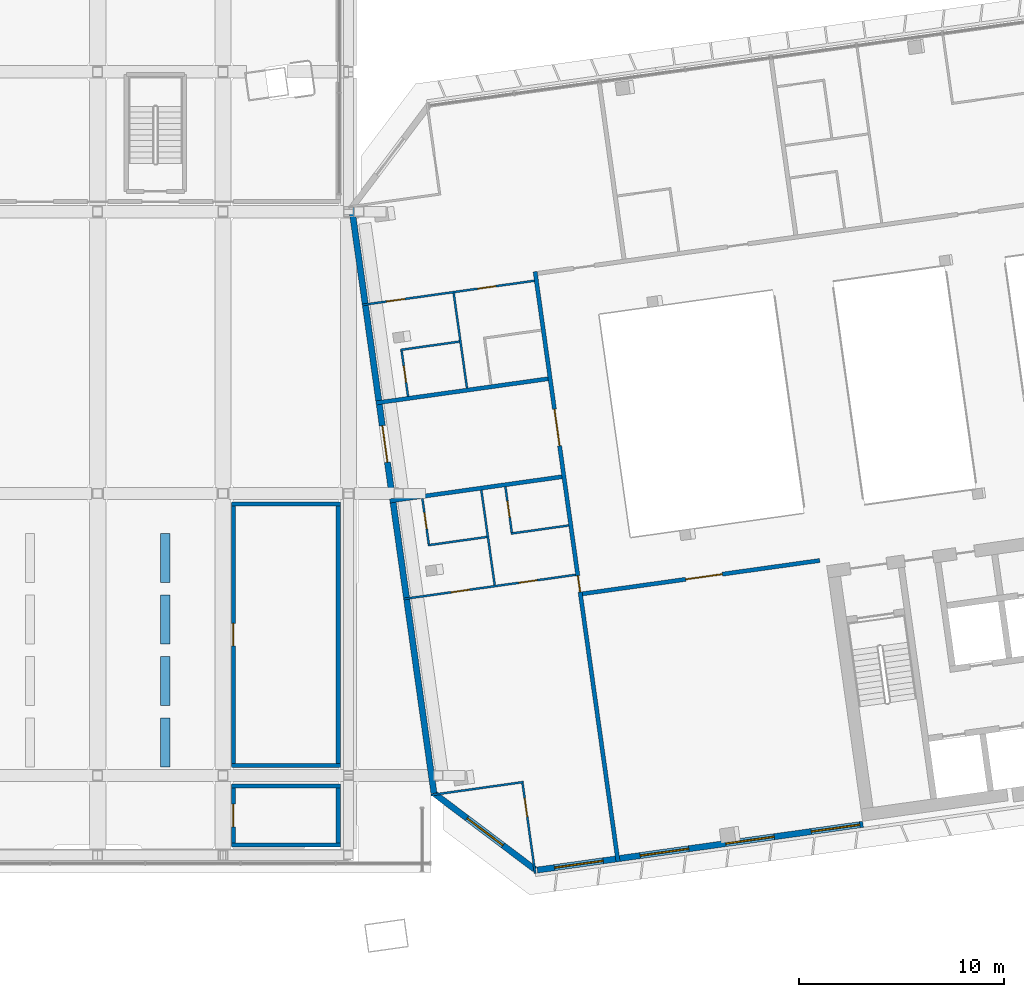
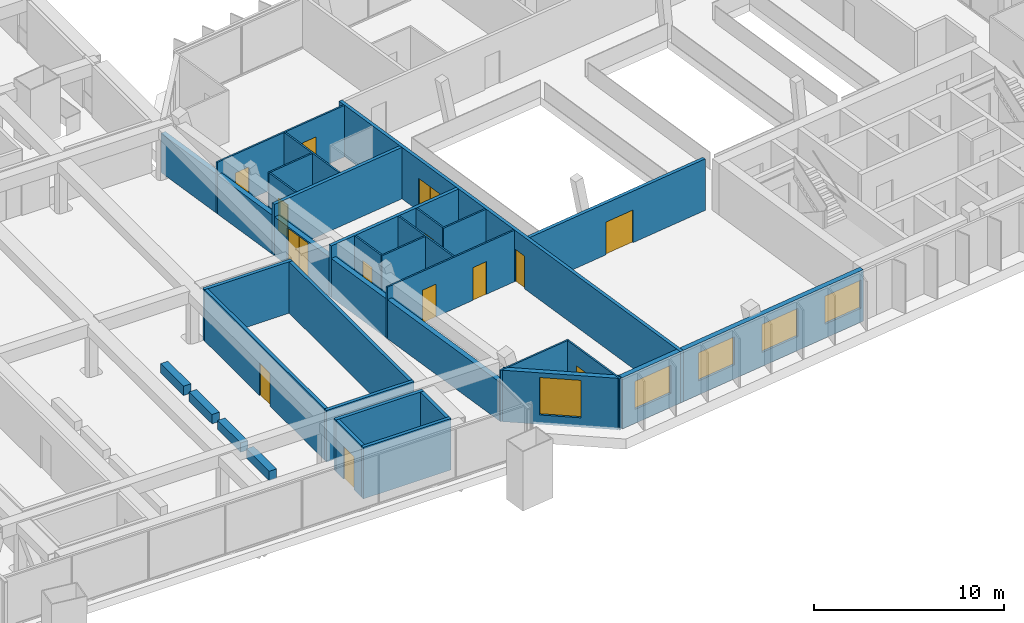
# One storey, part 18 of 25: 31 walls, 14 doors, 5 windows, 19 openings.
"""IFC4 building model written with IfcOpenShell, lengths in metres."""

from ifc_helpers import new_model, si_unit, direction, frame, frame_2d, origin, place, context, subcontext, project, spatial, rectangle, extrude, material, layer, layer_set, type_object, element, fill, save


model = new_model("IFC4")

# Units and contexts
model_context = context("Model", 3, precision=1e-05, world=origin(), true_north=direction((0.0, 1.0)))
body_context = subcontext(model_context, "Body", "Model", "MODEL_VIEW")
ifc_project = project(units=[si_unit("LENGTHUNIT", "METRE"), si_unit("AREAUNIT", "SQUARE_METRE"), si_unit("VOLUMEUNIT", "CUBIC_METRE"), si_unit("PLANEANGLEUNIT", "RADIAN"), si_unit("MASSUNIT", "GRAM", prefix="KILO")], contexts=[model_context])

# Site, building, storey
site_placement = place(None, origin())
site = spatial("IfcSite", under=ifc_project, at=site_placement, CompositionType="ELEMENT")
building_placement = place(site_placement, origin())
building = spatial("IfcBuilding", under=site, at=building_placement, Name="Mirante Cascada Hotel Towers", CompositionType="ELEMENT")
storey_placement = place(building_placement, frame((0.0, 0.0, 266.0)))
storey = spatial("IfcBuildingStorey", under=building, at=storey_placement, Name="L64", CompositionType="ELEMENT", Elevation=266.0)

# Wall, opening, door
ifc_material_1 = material(Name="Fire-rated plasterboard on metal studs")
ifc_layer_1 = layer(ifc_material_1, 0.2)
ifc_layer_set_1 = layer_set([ifc_layer_1], Name="Compartment wall 200 EI 120")
wall_type_1 = type_object("IfcWallType", Name="Compartment wall 200 EI 120", PredefinedType="PARTITIONING", material=ifc_layer_set_1)
wall_1_placement = place(storey_placement, frame((23.6773, -8.7456, 0.0), z_axis=(0.0, 0.0, 1.0), x_axis=(0.9902683, 0.1391714, 0.0)))
wall_1 = element("IfcWall", 1, at=wall_1_placement, inside=storey, type_object=wall_type_1, Name="Wall 2-L64-03", PredefinedType="PARTITIONING", context=body_context, shape_type="SweptSolid", body=[
    extrude(rectangle(XDim=11.7, YDim=0.2, at=frame_2d((5.85, 0.0))), origin(), (0.0, 0.0, 1.0), 3.3),
])
opening_1_placement = place(wall_1_placement, frame((5.1, 0.0, 0.0)))
opening_1 = element("IfcOpeningElement", 2, at=opening_1_placement, cuts=wall_1, Name="Opening D2-L64-01", PredefinedType="OPENING", context=body_context, shape_type="SweptSolid", body=[
    extrude(rectangle(XDim=1.8, YDim=2.1, at=frame_2d((0.9, 1.05))), frame((0.0, 0.1, 0.0), z_axis=(0.0, -1.0, 0.0), x_axis=(1.0, 0.0, 0.0)), (0.0, 0.0, 1.0), 0.2),
])
ifc_material_2 = material(Name="Fire-rated timber door leaf", Category="wood")
door_type_1 = type_object("IfcDoorType", Name="Suite double door DG2 1800x2100 EI 60", OperationType="DOUBLE_DOOR_SINGLE_SWING", PredefinedType="DOOR", material=ifc_material_2)
door_1_placement = place(opening_1_placement, origin())
door_1 = element("IfcDoor", 3, at=door_1_placement, inside=storey, type_object=door_type_1, Name="Door D2-L64-01", OperationType="DOUBLE_DOOR_SINGLE_SWING", OverallHeight=2.1, OverallWidth=1.8, PredefinedType="DOOR", context=body_context, shape_type="SweptSolid", body=[
    extrude(rectangle(XDim=0.895, YDim=2.1, at=frame_2d((0.4475, 1.05))), frame((0.0, 0.025, 0.0), z_axis=(0.0, -1.0, 0.0), x_axis=(1.0, 0.0, 0.0)), (0.0, 0.0, 1.0), 0.05),
    extrude(rectangle(XDim=0.895, YDim=2.1, at=frame_2d((1.3525, 1.05))), frame((0.0, 0.025, 0.0), z_axis=(0.0, -1.0, 0.0), x_axis=(1.0, 0.0, 0.0)), (0.0, 0.0, 1.0), 0.05),
])
fill(opening_1, door_1)

# Walls
wall_2_placement = place(storey_placement, frame((14.2694, -4.2108, 0.0), z_axis=(0.0, 0.0, 1.0), x_axis=(0.9902682, 0.1391721, 0.0)))
element("IfcWall", 4, at=wall_2_placement, inside=storey, type_object=wall_type_1, Name="Wall 2-L64-09", PredefinedType="PARTITIONING", context=body_context, shape_type="SweptSolid", body=[
    extrude(rectangle(XDim=8.4852, YDim=0.2, at=frame_2d((4.2426, 0.0))), origin(), (0.0, 0.0, 1.0), 3.3),
])
wall_3_placement = place(storey_placement, frame((21.9994, 1.7564, 0.0), z_axis=(0.0, 0.0, 1.0), x_axis=(-0.9902684, -0.1391705, 0.0)))
element("IfcWall", 5, at=wall_3_placement, inside=storey, type_object=wall_type_1, Name="Wall 2-L64-10", PredefinedType="PARTITIONING", context=body_context, shape_type="SweptSolid", body=[
    extrude(rectangle(XDim=8.4853, YDim=0.2, at=frame_2d((4.2426, 0.0))), origin(), (0.0, 0.0, 1.0), 3.3),
])

# Wall, openings, doors
wall_4_placement = place(storey_placement, frame((25.4153, -21.8311, 0.0), z_axis=(0.0, 0.0, 1.0), x_axis=(-0.1391718, 0.9902682, 0.0)))
wall_4 = element("IfcWall", 6, at=wall_4_placement, inside=storey, type_object=wall_type_1, Name="Wall 2-L64-33", PredefinedType="PARTITIONING", context=body_context, shape_type="SweptSolid", body=[
    extrude(rectangle(XDim=29.1, YDim=0.2, at=frame_2d((14.55, 0.0))), origin(), (0.0, 0.0, 1.0), 3.3),
])
opening_2_placement = place(wall_4_placement, frame((13.305, 0.0, 0.0)))
opening_2 = element("IfcOpeningElement", 7, at=opening_2_placement, cuts=wall_4, Name="Opening D2-L64-22", PredefinedType="OPENING", context=body_context, shape_type="SweptSolid", body=[
    extrude(rectangle(XDim=0.8, YDim=2.1, at=frame_2d((0.4, 1.05))), frame((0.0, 0.1, 0.0), z_axis=(0.0, -1.0, 0.0), x_axis=(1.0, 0.0, 0.0)), (0.0, 0.0, 1.0), 0.2),
])
opening_3_placement = place(wall_4_placement, frame((20.5166, 0.0, 0.0)))
opening_3 = element("IfcOpeningElement", 8, at=opening_3_placement, cuts=wall_4, Name="Opening D2-L64-23", PredefinedType="OPENING", context=body_context, shape_type="SweptSolid", body=[
    extrude(rectangle(XDim=1.8, YDim=2.1, at=frame_2d((0.9, 1.05))), frame((0.0, 0.1, 0.0), z_axis=(0.0, -1.0, 0.0), x_axis=(1.0, 0.0, 0.0)), (0.0, 0.0, 1.0), 0.2),
])
ifc_material_3 = material(Name="Fire-rated timber door leaf", Category="wood")
door_type_2 = type_object("IfcDoorType", Name="Bathroom door DG4 800x2100 EI 60", OperationType="SINGLE_SWING_LEFT", PredefinedType="DOOR", material=ifc_material_3)
door_2_placement = place(opening_2_placement, origin())
door_2 = element("IfcDoor", 9, at=door_2_placement, inside=storey, type_object=door_type_2, Name="Door D2-L64-22", OperationType="SINGLE_SWING_LEFT", OverallHeight=2.1, OverallWidth=0.8, PredefinedType="DOOR", context=body_context, shape_type="SweptSolid", body=[
    extrude(rectangle(XDim=0.8, YDim=2.1, at=frame_2d((0.4, 1.05))), frame((0.0, 0.025, 0.0), z_axis=(0.0, -1.0, 0.0), x_axis=(1.0, 0.0, 0.0)), (0.0, 0.0, 1.0), 0.05),
])
fill(opening_2, door_2)
door_3_placement = place(opening_3_placement, origin())
door_3 = element("IfcDoor", 10, at=door_3_placement, inside=storey, type_object=door_type_1, Name="Door D2-L64-23", OperationType="DOUBLE_DOOR_SINGLE_SWING", OverallHeight=2.1, OverallWidth=1.8, PredefinedType="DOOR", context=body_context, shape_type="SweptSolid", body=[
    extrude(rectangle(XDim=0.895, YDim=2.1, at=frame_2d((0.4475, 1.05))), frame((0.0, 0.025, 0.0), z_axis=(0.0, -1.0, 0.0), x_axis=(1.0, 0.0, 0.0)), (0.0, 0.0, 1.0), 0.05),
    extrude(rectangle(XDim=0.895, YDim=2.1, at=frame_2d((1.3525, 1.05))), frame((0.0, 0.025, 0.0), z_axis=(0.0, -1.0, 0.0), x_axis=(1.0, 0.0, 0.0)), (0.0, 0.0, 1.0), 0.05),
])
fill(opening_3, door_3)

# Walls
ifc_material_4 = material(Name="Masonry block", Category="masonry")
ifc_layer_2 = layer(ifc_material_4, 0.2)
ifc_layer_set_2 = layer_set([ifc_layer_2], Name="Deck room wall 200 block EI 120")
wall_type_2 = type_object("IfcWallType", Name="Deck room wall 200 block EI 120", PredefinedType="PARTITIONING", material=ifc_layer_set_2)
for number, where, z_axis, x_axis, name in (
    (11, (6.53, -21.02, 0.0), (0.0, 0.0, 1.0), (1.0, 0.0, 0.0), "Sky park fire wall L64 W9"),
    (12, (6.53, -18.12, 0.0), (0.0, 0.0, 1.0), (1.0, 0.0, 0.0), "Sky park fire wall L64 W10"),
):
    element("IfcWall", number, at=place(storey_placement, frame(where, z_axis=z_axis, x_axis=x_axis)), inside=storey, type_object=wall_type_2, Name=name, PredefinedType="PARTITIONING", context=body_context, shape_type="SweptSolid", body=[
        extrude(rectangle(XDim=5.32, YDim=0.2, at=frame_2d((2.66, 0.0))), origin(), (0.0, 0.0, 1.0), 3.3),
    ])

# Wall, opening, door
wall_5_placement = place(storey_placement, frame((6.63, -20.92, 0.0), z_axis=(0.0, 0.0, 1.0), x_axis=(0.0, 1.0, 0.0)))
wall_5 = element("IfcWall", 13, at=wall_5_placement, inside=storey, type_object=wall_type_2, Name="Sky park fire wall L64 W11", PredefinedType="PARTITIONING", context=body_context, shape_type="SweptSolid", body=[
    extrude(rectangle(XDim=2.7, YDim=0.2, at=frame_2d((1.35, 0.0))), origin(), (0.0, 0.0, 1.0), 3.3),
])
opening_4_placement = place(wall_5_placement, frame((0.8, 0.0, 0.0)))
opening_4 = element("IfcOpeningElement", 14, at=opening_4_placement, cuts=wall_5, Name="Opening DD-64-03", PredefinedType="OPENING", context=body_context, shape_type="SweptSolid", body=[
    extrude(rectangle(XDim=1.1, YDim=2.1, at=frame_2d((0.55, 1.05))), frame((0.0, 0.1, 0.0), z_axis=(0.0, -1.0, 0.0), x_axis=(1.0, 0.0, 0.0)), (0.0, 0.0, 1.0), 0.2),
])
ifc_material_5 = material(Name="Hollow metal fire door leaf")
door_type_3 = type_object("IfcDoorType", Name="Fire door 1100x2100 FD60 self-closing", OperationType="NOTDEFINED", PredefinedType="DOOR", material=ifc_material_5)
door_4_placement = place(opening_4_placement, frame((1.1, 0.0, 0.0), z_axis=(0.0, 0.0, 1.0), x_axis=(-1.0, 0.0, 0.0)))
door_4 = element("IfcDoor", 15, at=door_4_placement, inside=storey, type_object=door_type_3, Name="Fire door sky park L64 d3", OperationType="SINGLE_SWING_LEFT", OverallHeight=2.1, OverallWidth=1.1, PredefinedType="DOOR", context=body_context, shape_type="SweptSolid", body=[
    extrude(rectangle(XDim=1.1, YDim=2.1, at=frame_2d((0.55, 1.05))), frame((0.0, 0.025, 0.0), z_axis=(0.0, -1.0, 0.0), x_axis=(1.0, 0.0, 0.0)), (0.0, 0.0, 1.0), 0.05),
])
fill(opening_4, door_4)

# Walls
wall_6_placement = place(storey_placement, frame((11.75, -20.92, 0.0), z_axis=(0.0, 0.0, 1.0), x_axis=(0.0, 1.0, 0.0)))
element("IfcWall", 16, at=wall_6_placement, inside=storey, type_object=wall_type_2, Name="Sky park fire wall L64 W12", PredefinedType="PARTITIONING", context=body_context, shape_type="SweptSolid", body=[
    extrude(rectangle(XDim=2.7, YDim=0.2, at=frame_2d((1.35, 0.0))), origin(), (0.0, 0.0, 1.0), 3.3),
])
for number, where, z_axis, x_axis, name in (
    (17, (6.53, -17.12, 0.0), (0.0, 0.0, 1.0), (1.0, 0.0, 0.0), "Sky park fire wall L64 W13"),
    (18, (6.53, -4.35, 0.0), (0.0, 0.0, 1.0), (1.0, 0.0, 0.0), "Sky park fire wall L64 W14"),
):
    element("IfcWall", number, at=place(storey_placement, frame(where, z_axis=z_axis, x_axis=x_axis)), inside=storey, type_object=wall_type_2, Name=name, PredefinedType="PARTITIONING", context=body_context, shape_type="SweptSolid", body=[
        extrude(rectangle(XDim=5.32, YDim=0.2, at=frame_2d((2.66, 0.0))), origin(), (0.0, 0.0, 1.0), 3.3),
    ])

# Wall, opening, door
wall_7_placement = place(storey_placement, frame((6.63, -17.02, 0.0), z_axis=(0.0, 0.0, 1.0), x_axis=(0.0, 1.0, 0.0)))
wall_7 = element("IfcWall", 19, at=wall_7_placement, inside=storey, type_object=wall_type_2, Name="Sky park fire wall L64 W15", PredefinedType="PARTITIONING", context=body_context, shape_type="SweptSolid", body=[
    extrude(rectangle(XDim=12.57, YDim=0.2, at=frame_2d((6.285, 0.0))), origin(), (0.0, 0.0, 1.0), 3.3),
])
opening_5_placement = place(wall_7_placement, frame((5.735, 0.0, 0.0)))
opening_5 = element("IfcOpeningElement", 20, at=opening_5_placement, cuts=wall_7, Name="Opening DD-64-04", PredefinedType="OPENING", context=body_context, shape_type="SweptSolid", body=[
    extrude(rectangle(XDim=1.1, YDim=2.1, at=frame_2d((0.55, 1.05))), frame((0.0, 0.1, 0.0), z_axis=(0.0, -1.0, 0.0), x_axis=(1.0, 0.0, 0.0)), (0.0, 0.0, 1.0), 0.2),
])
door_5_placement = place(opening_5_placement, frame((1.1, 0.0, 0.0), z_axis=(0.0, 0.0, 1.0), x_axis=(-1.0, 0.0, 0.0)))
door_5 = element("IfcDoor", 21, at=door_5_placement, inside=storey, type_object=door_type_3, Name="Fire door sky park L64 d4", OperationType="SINGLE_SWING_LEFT", OverallHeight=2.1, OverallWidth=1.1, PredefinedType="DOOR", context=body_context, shape_type="SweptSolid", body=[
    extrude(rectangle(XDim=1.1, YDim=2.1, at=frame_2d((0.55, 1.05))), frame((0.0, 0.025, 0.0), z_axis=(0.0, -1.0, 0.0), x_axis=(1.0, 0.0, 0.0)), (0.0, 0.0, 1.0), 0.05),
])
fill(opening_5, door_5)

# Walls
wall_8_placement = place(storey_placement, frame((11.75, -17.02, 0.0), z_axis=(0.0, 0.0, 1.0), x_axis=(0.0, 1.0, 0.0)))
element("IfcWall", 22, at=wall_8_placement, inside=storey, type_object=wall_type_2, Name="Sky park fire wall L64 W16", PredefinedType="PARTITIONING", context=body_context, shape_type="SweptSolid", body=[
    extrude(rectangle(XDim=12.57, YDim=0.2, at=frame_2d((6.285, 0.0))), origin(), (0.0, 0.0, 1.0), 3.3),
])
ifc_material_6 = material(Name="Precast concrete C40/50", Category="concrete")
ifc_layer_3 = layer(ifc_material_6, 0.45)
ifc_layer_set_3 = layer_set([ifc_layer_3], Name="Interior planter wall 450 concrete C40/50")
wall_type_3 = type_object("IfcWallType", Name="Interior planter wall 450 concrete C40/50", PredefinedType="PARAPET", material=ifc_layer_set_3)
for number, where, z_axis, x_axis, name in (
    (23, (3.3, -17.2, 0.0), (0.0, 0.0, 1.0), (0.0, 1.0, 0.0), "PLANTER sky garden walk bed L64 5"),
    (24, (3.3, -14.2, 0.0), (0.0, 0.0, 1.0), (0.0, 1.0, 0.0), "PLANTER sky garden walk bed L64 6"),
    (25, (3.3, -11.2, 0.0), (0.0, 0.0, 1.0), (0.0, 1.0, 0.0), "PLANTER sky garden walk bed L64 7"),
    (26, (3.3, -8.2, 0.0), (0.0, 0.0, 1.0), (0.0, 1.0, 0.0), "PLANTER sky garden walk bed L64 8"),
):
    element("IfcWall", number, at=place(storey_placement, frame(where, z_axis=z_axis, x_axis=x_axis)), inside=storey, type_object=wall_type_3, Name=name, PredefinedType="PARAPET", context=body_context, shape_type="SweptSolid", body=[
        extrude(rectangle(XDim=2.4, YDim=0.45, at=frame_2d((1.2, 0.0))), origin(), (0.0, 0.0, 1.0), 0.6),
    ])
ifc_material_7 = material(Name="Plasterboard on metal studs")
ifc_layer_4 = layer(ifc_material_7, 0.1)
ifc_layer_set_4 = layer_set([ifc_layer_4], Name="Partition 100")
wall_type_4 = type_object("IfcWallType", Name="Partition 100", PredefinedType="PARTITIONING", material=ifc_layer_set_4)
wall_9_placement = place(storey_placement, frame((16.2874, -18.5697, 0.0), z_axis=(0.0, 0.0, 1.0), x_axis=(0.9902661, 0.1391871, 0.0)))
element("IfcWall", 27, at=wall_9_placement, inside=storey, type_object=wall_type_4, Name="Wall 2-L64-01", PredefinedType="PARTITIONING", context=body_context, shape_type="SweptSolid", body=[
    extrude(rectangle(XDim=4.55, YDim=0.1, at=frame_2d((2.275, 0.0))), origin(), (0.0, 0.0, 1.0), 3.3),
])

# Wall, openings, doors
wall_10_placement = place(storey_placement, frame((23.3447, -7.8161, 0.0), z_axis=(0.0, 0.0, 1.0), x_axis=(-0.9902666, -0.1391837, 0.0)))
wall_10 = element("IfcWall", 28, at=wall_10_placement, inside=storey, type_object=wall_type_4, Name="Wall 2-L64-04", PredefinedType="PARTITIONING", context=body_context, shape_type="SweptSolid", body=[
    extrude(rectangle(XDim=8.4852, YDim=0.1, at=frame_2d((4.2426, 0.0))), origin(), (0.0, 0.0, 1.0), 3.3),
])
opening_6_placement = place(wall_10_placement, frame((5.2352, 0.0, 0.0)))
opening_6 = element("IfcOpeningElement", 29, at=opening_6_placement, cuts=wall_10, Name="Opening D2-L64-02", PredefinedType="OPENING", context=body_context, shape_type="SweptSolid", body=[
    extrude(rectangle(XDim=0.9, YDim=2.1, at=frame_2d((0.45, 1.05))), frame((0.0, 0.05, 0.0), z_axis=(0.0, -1.0, 0.0), x_axis=(1.0, 0.0, 0.0)), (0.0, 0.0, 1.0), 0.1),
])
opening_7_placement = place(wall_10_placement, frame((1.8963, 0.0, 0.0)))
opening_7 = element("IfcOpeningElement", 30, at=opening_7_placement, cuts=wall_10, Name="Opening D2-L64-03", PredefinedType="OPENING", context=body_context, shape_type="SweptSolid", body=[
    extrude(rectangle(XDim=0.9, YDim=2.1, at=frame_2d((0.45, 1.05))), frame((0.0, 0.05, 0.0), z_axis=(0.0, -1.0, 0.0), x_axis=(1.0, 0.0, 0.0)), (0.0, 0.0, 1.0), 0.1),
])
ifc_material_8 = material(Name="Timber door leaf", Category="wood")
door_type_4 = type_object("IfcDoorType", Name="Room door DG3 900x2100", OperationType="SINGLE_SWING_LEFT", PredefinedType="DOOR", material=ifc_material_8)
door_6_placement = place(opening_6_placement, origin())
door_6 = element("IfcDoor", 31, at=door_6_placement, inside=storey, type_object=door_type_4, Name="Door D2-L64-02", OperationType="SINGLE_SWING_LEFT", OverallHeight=2.1, OverallWidth=0.9, PredefinedType="DOOR", context=body_context, shape_type="SweptSolid", body=[
    extrude(rectangle(XDim=0.9, YDim=2.1, at=frame_2d((0.45, 1.05))), frame((0.0, 0.025, 0.0), z_axis=(0.0, -1.0, 0.0), x_axis=(1.0, 0.0, 0.0)), (0.0, 0.0, 1.0), 0.05),
])
fill(opening_6, door_6)
door_7_placement = place(opening_7_placement, origin())
door_7 = element("IfcDoor", 32, at=door_7_placement, inside=storey, type_object=door_type_4, Name="Door D2-L64-03", OperationType="SINGLE_SWING_LEFT", OverallHeight=2.1, OverallWidth=0.9, PredefinedType="DOOR", context=body_context, shape_type="SweptSolid", body=[
    extrude(rectangle(XDim=0.9, YDim=2.1, at=frame_2d((0.45, 1.05))), frame((0.0, 0.025, 0.0), z_axis=(0.0, -1.0, 0.0), x_axis=(1.0, 0.0, 0.0)), (0.0, 0.0, 1.0), 0.05),
])
fill(opening_7, door_7)

# Walls
wall_11_placement = place(storey_placement, frame((16.131, -6.3727, 0.0), z_axis=(0.0, 0.0, 1.0), x_axis=(0.9902695, 0.1391626, 0.0)))
element("IfcWall", 33, at=wall_11_placement, inside=storey, type_object=wall_type_4, Name="Wall 2-L64-07", PredefinedType="PARTITIONING", context=body_context, shape_type="SweptSolid", body=[
    extrude(rectangle(XDim=2.9074, YDim=0.1, at=frame_2d((1.4537, 0.0))), origin(), (0.0, 0.0, 1.0), 3.3),
])
wall_12_placement = place(storey_placement, frame((23.006, -5.4065, 0.0), z_axis=(0.0, 0.0, 1.0), x_axis=(-0.9902649, -0.1391957, 0.0)))
element("IfcWall", 34, at=wall_12_placement, inside=storey, type_object=wall_type_4, Name="Wall 2-L64-08", PredefinedType="PARTITIONING", context=body_context, shape_type="SweptSolid", body=[
    extrude(rectangle(XDim=2.8499, YDim=0.1, at=frame_2d((1.425, 0.0))), origin(), (0.0, 0.0, 1.0), 3.3),
])
wall_13_placement = place(storey_placement, frame((14.7903, 3.1668, 0.0), z_axis=(0.0, 0.0, 1.0), x_axis=(0.9902695, 0.1391626, 0.0)))
element("IfcWall", 35, at=wall_13_placement, inside=storey, type_object=wall_type_4, Name="Wall 2-L64-11", PredefinedType="PARTITIONING", context=body_context, shape_type="SweptSolid", body=[
    extrude(rectangle(XDim=2.9074, YDim=0.1, at=frame_2d((1.4537, 0.0))), origin(), (0.0, 0.0, 1.0), 3.3),
])

# Wall, openings, doors
wall_14_placement = place(storey_placement, frame((12.924, 5.3618, 0.0), z_axis=(0.0, 0.0, 1.0), x_axis=(0.9902684, 0.1391705, 0.0)))
wall_14 = element("IfcWall", 36, at=wall_14_placement, inside=storey, type_object=wall_type_4, Name="Wall 2-L64-13", PredefinedType="PARTITIONING", context=body_context, shape_type="SweptSolid", body=[
    extrude(rectangle(XDim=8.4853, YDim=0.1, at=frame_2d((4.2426, 0.0))), origin(), (0.0, 0.0, 1.0), 3.3),
])
opening_8_placement = place(wall_14_placement, frame((1.1963, 0.0, 0.0)))
opening_8 = element("IfcOpeningElement", 37, at=opening_8_placement, cuts=wall_14, Name="Opening D2-L64-04", PredefinedType="OPENING", context=body_context, shape_type="SweptSolid", body=[
    extrude(rectangle(XDim=0.9, YDim=2.1, at=frame_2d((0.45, 1.05))), frame((0.0, 0.05, 0.0), z_axis=(0.0, -1.0, 0.0), x_axis=(1.0, 0.0, 0.0)), (0.0, 0.0, 1.0), 0.1),
])
opening_9_placement = place(wall_14_placement, frame((5.6889, 0.0, 0.0)))
opening_9 = element("IfcOpeningElement", 38, at=opening_9_placement, cuts=wall_14, Name="Opening D2-L64-05", PredefinedType="OPENING", context=body_context, shape_type="SweptSolid", body=[
    extrude(rectangle(XDim=0.9, YDim=2.1, at=frame_2d((0.45, 1.05))), frame((0.0, 0.05, 0.0), z_axis=(0.0, -1.0, 0.0), x_axis=(1.0, 0.0, 0.0)), (0.0, 0.0, 1.0), 0.1),
])
door_8_placement = place(opening_8_placement, origin())
door_8 = element("IfcDoor", 39, at=door_8_placement, inside=storey, type_object=door_type_4, Name="Door D2-L64-04", OperationType="SINGLE_SWING_LEFT", OverallHeight=2.1, OverallWidth=0.9, PredefinedType="DOOR", context=body_context, shape_type="SweptSolid", body=[
    extrude(rectangle(XDim=0.9, YDim=2.1, at=frame_2d((0.45, 1.05))), frame((0.0, 0.025, 0.0), z_axis=(0.0, -1.0, 0.0), x_axis=(1.0, 0.0, 0.0)), (0.0, 0.0, 1.0), 0.05),
])
fill(opening_8, door_8)
door_9_placement = place(opening_9_placement, origin())
door_9 = element("IfcDoor", 40, at=door_9_placement, inside=storey, type_object=door_type_4, Name="Door D2-L64-05", OperationType="SINGLE_SWING_LEFT", OverallHeight=2.1, OverallWidth=0.9, PredefinedType="DOOR", context=body_context, shape_type="SweptSolid", body=[
    extrude(rectangle(XDim=0.9, YDim=2.1, at=frame_2d((0.45, 1.05))), frame((0.0, 0.025, 0.0), z_axis=(0.0, -1.0, 0.0), x_axis=(1.0, 0.0, 0.0)), (0.0, 0.0, 1.0), 0.05),
])
fill(opening_9, door_9)

# Wall, opening, door
wall_15_placement = place(storey_placement, frame((16.1736, -6.3163, 0.0), z_axis=(0.0, 0.0, 1.0), x_axis=(-0.1391997, 0.9902643, 0.0)))
wall_15 = element("IfcWall", 41, at=wall_15_placement, inside=storey, type_object=wall_type_4, Name="Wall 2-L64-25", PredefinedType="PARTITIONING", context=body_context, shape_type="SweptSolid", body=[
    extrude(rectangle(XDim=2.25, YDim=0.1, at=frame_2d((1.125, 0.0))), origin(), (0.0, 0.0, 1.0), 3.3),
])
opening_10_placement = place(wall_15_placement, frame((0.75, 0.0, 0.0)))
opening_10 = element("IfcOpeningElement", 42, at=opening_10_placement, cuts=wall_15, Name="Opening D2-L64-16", PredefinedType="OPENING", context=body_context, shape_type="SweptSolid", body=[
    extrude(rectangle(XDim=0.8, YDim=2.1, at=frame_2d((0.4, 1.05))), frame((0.0, 0.05, 0.0), z_axis=(0.0, -1.0, 0.0), x_axis=(1.0, 0.0, 0.0)), (0.0, 0.0, 1.0), 0.1),
])
ifc_material_9 = material(Name="Timber door leaf", Category="wood")
door_type_5 = type_object("IfcDoorType", Name="Bathroom door DG4 800x2100", OperationType="SINGLE_SWING_LEFT", PredefinedType="DOOR", material=ifc_material_9)
door_10_placement = place(opening_10_placement, frame((0.8, 0.0, 0.0), z_axis=(0.0, 0.0, 1.0), x_axis=(-1.0, 0.0, 0.0)))
door_10 = element("IfcDoor", 43, at=door_10_placement, inside=storey, type_object=door_type_5, Name="Door D2-L64-16", OperationType="SINGLE_SWING_RIGHT", OverallHeight=2.1, OverallWidth=0.8, PredefinedType="DOOR", context=body_context, shape_type="SweptSolid", body=[
    extrude(rectangle(XDim=0.8, YDim=2.1, at=frame_2d((0.4, 1.05))), frame((0.0, 0.025, 0.0), z_axis=(0.0, -1.0, 0.0), x_axis=(1.0, 0.0, 0.0)), (0.0, 0.0, 1.0), 0.05),
])
fill(opening_10, door_10)

wall_16_placement = place(storey_placement, frame((14.8468, 3.1242, 0.0), z_axis=(0.0, 0.0, 1.0), x_axis=(0.1391561, -0.9902705, 0.0)))
wall_16 = element("IfcWall", 44, at=wall_16_placement, inside=storey, type_object=wall_type_4, Name="Wall 2-L64-26", PredefinedType="PARTITIONING", context=body_context, shape_type="SweptSolid", body=[
    extrude(rectangle(XDim=2.25, YDim=0.1, at=frame_2d((1.125, 0.0))), origin(), (0.0, 0.0, 1.0), 3.3),
])
opening_11_placement = place(wall_16_placement, frame((0.75, 0.0, 0.0)))
opening_11 = element("IfcOpeningElement", 45, at=opening_11_placement, cuts=wall_16, Name="Opening D2-L64-17", PredefinedType="OPENING", context=body_context, shape_type="SweptSolid", body=[
    extrude(rectangle(XDim=0.8, YDim=2.1, at=frame_2d((0.4, 1.05))), frame((0.0, 0.05, 0.0), z_axis=(0.0, -1.0, 0.0), x_axis=(1.0, 0.0, 0.0)), (0.0, 0.0, 1.0), 0.1),
])
door_11_placement = place(opening_11_placement, origin())
door_11 = element("IfcDoor", 46, at=door_11_placement, inside=storey, type_object=door_type_5, Name="Door D2-L64-17", OperationType="SINGLE_SWING_LEFT", OverallHeight=2.1, OverallWidth=0.8, PredefinedType="DOOR", context=body_context, shape_type="SweptSolid", body=[
    extrude(rectangle(XDim=0.8, YDim=2.1, at=frame_2d((0.4, 1.05))), frame((0.0, 0.025, 0.0), z_axis=(0.0, -1.0, 0.0), x_axis=(1.0, 0.0, 0.0)), (0.0, 0.0, 1.0), 0.05),
])
fill(opening_11, door_11)

wall_17_placement = place(storey_placement, frame((21.3699, -22.3996, 0.0), z_axis=(0.0, 0.0, 1.0), x_axis=(-0.1391684, 0.9902687, 0.0)))
wall_17 = element("IfcWall", 47, at=wall_17_placement, inside=storey, type_object=wall_type_4, Name="Wall 2-L64-27", PredefinedType="PARTITIONING", context=body_context, shape_type="SweptSolid", body=[
    extrude(rectangle(XDim=4.45, YDim=0.1, at=frame_2d((2.225, 0.0))), origin(), (0.0, 0.0, 1.0), 3.3),
])
opening_12_placement = place(wall_17_placement, frame((2.8, 0.0, 0.0)))
opening_12 = element("IfcOpeningElement", 48, at=opening_12_placement, cuts=wall_17, Name="Opening D2-L64-18", PredefinedType="OPENING", context=body_context, shape_type="SweptSolid", body=[
    extrude(rectangle(XDim=0.9, YDim=2.1, at=frame_2d((0.45, 1.05))), frame((0.0, 0.05, 0.0), z_axis=(0.0, -1.0, 0.0), x_axis=(1.0, 0.0, 0.0)), (0.0, 0.0, 1.0), 0.1),
])
door_12_placement = place(opening_12_placement, origin())
door_12 = element("IfcDoor", 49, at=door_12_placement, inside=storey, type_object=door_type_4, Name="Door D2-L64-18", OperationType="SINGLE_SWING_LEFT", OverallHeight=2.1, OverallWidth=0.9, PredefinedType="DOOR", context=body_context, shape_type="SweptSolid", body=[
    extrude(rectangle(XDim=0.9, YDim=2.1, at=frame_2d((0.45, 1.05))), frame((0.0, 0.025, 0.0), z_axis=(0.0, -1.0, 0.0), x_axis=(1.0, 0.0, 0.0)), (0.0, 0.0, 1.0), 0.05),
])
fill(opening_12, door_12)

# Walls
for number, where, z_axis, x_axis, name in (
    (50, (18.7395, -3.6835, 0.0), (0.0, 0.0, 1.0), (0.139173, -0.9902681, 0.0), "Wall 2-L64-28"),
    (51, (18.039, 1.3008, 0.0), (0.0, 0.0, 1.0), (-0.139173, 0.9902681, 0.0), "Wall 2-L64-29"),
):
    element("IfcWall", number, at=place(storey_placement, frame(where, z_axis=z_axis, x_axis=x_axis)), inside=storey, type_object=wall_type_4, Name=name, PredefinedType="PARTITIONING", context=body_context, shape_type="SweptSolid", body=[
        extrude(rectangle(XDim=4.6834, YDim=0.1, at=frame_2d((2.3417, 0.0))), origin(), (0.0, 0.0, 1.0), 3.3),
    ])

# Wall, opening, door
wall_18_placement = place(storey_placement, frame((20.2263, -5.7467, 0.0), z_axis=(0.0, 0.0, 1.0), x_axis=(-0.1391561, 0.9902705, 0.0)))
wall_18 = element("IfcWall", 52, at=wall_18_placement, inside=storey, type_object=wall_type_4, Name="Wall 2-L64-31", PredefinedType="PARTITIONING", context=body_context, shape_type="SweptSolid", body=[
    extrude(rectangle(XDim=2.25, YDim=0.1, at=frame_2d((1.125, 0.0))), origin(), (0.0, 0.0, 1.0), 3.3),
])
opening_13_placement = place(wall_18_placement, frame((0.75, 0.0, 0.0)))
opening_13 = element("IfcOpeningElement", 53, at=opening_13_placement, cuts=wall_18, Name="Opening D2-L64-20", PredefinedType="OPENING", context=body_context, shape_type="SweptSolid", body=[
    extrude(rectangle(XDim=0.8, YDim=2.1, at=frame_2d((0.4, 1.05))), frame((0.0, 0.05, 0.0), z_axis=(0.0, -1.0, 0.0), x_axis=(1.0, 0.0, 0.0)), (0.0, 0.0, 1.0), 0.1),
])
door_13_placement = place(opening_13_placement, frame((0.8, 0.0, 0.0), z_axis=(0.0, 0.0, 1.0), x_axis=(-1.0, 0.0, 0.0)))
door_13 = element("IfcDoor", 54, at=door_13_placement, inside=storey, type_object=door_type_5, Name="Door D2-L64-20", OperationType="SINGLE_SWING_RIGHT", OverallHeight=2.1, OverallWidth=0.8, PredefinedType="DOOR", context=body_context, shape_type="SweptSolid", body=[
    extrude(rectangle(XDim=0.8, YDim=2.1, at=frame_2d((0.4, 1.05))), frame((0.0, 0.025, 0.0), z_axis=(0.0, -1.0, 0.0), x_axis=(1.0, 0.0, 0.0)), (0.0, 0.0, 1.0), 0.05),
])
fill(opening_13, door_13)

# Wall, openings, windows
ifc_material_10 = material(Name="Precast concrete C40/50", Category="concrete")
ifc_layer_5 = layer(ifc_material_10, 0.3)
ifc_layer_set_5 = layer_set([ifc_layer_5], Name="Precast concrete C40/50 cladding wall 300")
wall_type_5 = type_object("IfcWallType", Name="Precast concrete C40/50 cladding wall 300", PredefinedType="STANDARD", material=ifc_layer_set_5)
wall_19_placement = place(storey_placement, frame((21.4719, -22.2338, 0.0), z_axis=(0.0, 0.0, 1.0), x_axis=(0.9902678, 0.1391747, 0.0)))
wall_19 = element("IfcWall", 55, at=wall_19_placement, inside=storey, type_object=wall_type_5, Name="Rear cladding wall T2 L64 1", PredefinedType="STANDARD", context=body_context, shape_type="SweptSolid", body=[
    extrude(rectangle(XDim=16.0611, YDim=0.3, at=frame_2d((8.0306, 0.0))), origin(), (0.0, 0.0, 1.0), 3.3),
])
opening_14_placement = place(wall_19_placement, frame((0.8481, 0.0, 0.9)))
opening_14 = element("IfcOpeningElement", 56, at=opening_14_placement, cuts=wall_19, Name="Opening W2-64-01", PredefinedType="OPENING", context=body_context, shape_type="SweptSolid", body=[
    extrude(rectangle(XDim=2.4, YDim=1.8, at=frame_2d((1.2, 0.9))), frame((0.0, 0.15, 0.0), z_axis=(0.0, -1.0, 0.0), x_axis=(1.0, 0.0, 0.0)), (0.0, 0.0, 1.0), 0.3),
])
opening_15_placement = place(wall_19_placement, frame((5.0682, 0.0, 0.9)))
opening_15 = element("IfcOpeningElement", 57, at=opening_15_placement, cuts=wall_19, Name="Opening W2-64-02", PredefinedType="OPENING", context=body_context, shape_type="SweptSolid", body=[
    extrude(rectangle(XDim=2.4, YDim=1.8, at=frame_2d((1.2, 0.9))), frame((0.0, 0.15, 0.0), z_axis=(0.0, -1.0, 0.0), x_axis=(1.0, 0.0, 0.0)), (0.0, 0.0, 1.0), 0.3),
])
opening_16_placement = place(wall_19_placement, frame((9.2883, 0.0, 0.9)))
opening_16 = element("IfcOpeningElement", 58, at=opening_16_placement, cuts=wall_19, Name="Opening W2-64-03", PredefinedType="OPENING", context=body_context, shape_type="SweptSolid", body=[
    extrude(rectangle(XDim=2.4, YDim=1.8, at=frame_2d((1.2, 0.9))), frame((0.0, 0.15, 0.0), z_axis=(0.0, -1.0, 0.0), x_axis=(1.0, 0.0, 0.0)), (0.0, 0.0, 1.0), 0.3),
])
opening_17_placement = place(wall_19_placement, frame((13.5084, 0.0, 0.9)))
opening_17 = element("IfcOpeningElement", 59, at=opening_17_placement, cuts=wall_19, Name="Opening W2-64-04", PredefinedType="OPENING", context=body_context, shape_type="SweptSolid", body=[
    extrude(rectangle(XDim=2.4, YDim=1.8, at=frame_2d((1.2, 0.9))), frame((0.0, 0.15, 0.0), z_axis=(0.0, -1.0, 0.0), x_axis=(1.0, 0.0, 0.0)), (0.0, 0.0, 1.0), 0.3),
])
ifc_material_11 = material(Name="Aluminium frame with clear double glazing", Category="aluminium")
window_type_1 = type_object("IfcWindowType", Name="Punched window 2400x1800", PartitioningType="DOUBLE_PANEL_VERTICAL", PredefinedType="WINDOW", material=ifc_material_11)
window_1_placement = place(opening_14_placement, origin())
window_1 = element("IfcWindow", 60, at=window_1_placement, inside=storey, type_object=window_type_1, Name="Window W2-64-01", OverallHeight=1.8, OverallWidth=2.4, PartitioningType="SINGLE_PANEL", PredefinedType="WINDOW", context=body_context, shape_type="SweptSolid", body=[
    extrude(rectangle(XDim=2.4, YDim=1.8, at=frame_2d((1.2, 0.9))), frame((0.0, 0.03, 0.0), z_axis=(0.0, -1.0, 0.0), x_axis=(1.0, 0.0, 0.0)), (0.0, 0.0, 1.0), 0.06),
])
fill(opening_14, window_1)
window_2_placement = place(opening_15_placement, origin())
window_2 = element("IfcWindow", 61, at=window_2_placement, inside=storey, type_object=window_type_1, Name="Window W2-64-02", OverallHeight=1.8, OverallWidth=2.4, PartitioningType="SINGLE_PANEL", PredefinedType="WINDOW", context=body_context, shape_type="SweptSolid", body=[
    extrude(rectangle(XDim=2.4, YDim=1.8, at=frame_2d((1.2, 0.9))), frame((0.0, 0.03, 0.0), z_axis=(0.0, -1.0, 0.0), x_axis=(1.0, 0.0, 0.0)), (0.0, 0.0, 1.0), 0.06),
])
fill(opening_15, window_2)
window_3_placement = place(opening_16_placement, origin())
window_3 = element("IfcWindow", 62, at=window_3_placement, inside=storey, type_object=window_type_1, Name="Window W2-64-03", OverallHeight=1.8, OverallWidth=2.4, PartitioningType="SINGLE_PANEL", PredefinedType="WINDOW", context=body_context, shape_type="SweptSolid", body=[
    extrude(rectangle(XDim=2.4, YDim=1.8, at=frame_2d((1.2, 0.9))), frame((0.0, 0.03, 0.0), z_axis=(0.0, -1.0, 0.0), x_axis=(1.0, 0.0, 0.0)), (0.0, 0.0, 1.0), 0.06),
])
fill(opening_16, window_3)
window_4_placement = place(opening_17_placement, origin())
window_4 = element("IfcWindow", 63, at=window_4_placement, inside=storey, type_object=window_type_1, Name="Window W2-64-04", OverallHeight=1.8, OverallWidth=2.4, PartitioningType="SINGLE_PANEL", PredefinedType="WINDOW", context=body_context, shape_type="SweptSolid", body=[
    extrude(rectangle(XDim=2.4, YDim=1.8, at=frame_2d((1.2, 0.9))), frame((0.0, 0.03, 0.0), z_axis=(0.0, -1.0, 0.0), x_axis=(1.0, 0.0, 0.0)), (0.0, 0.0, 1.0), 0.06),
])
fill(opening_17, window_4)

# Wall, opening, window
wall_20_placement = place(storey_placement, frame((16.4768, -18.5246, 0.0), z_axis=(0.0, 0.0, 1.0), x_axis=(0.7986362, -0.6018141, 0.0)))
wall_20 = element("IfcWall", 64, at=wall_20_placement, inside=storey, type_object=wall_type_5, Name="Corner cladding wall T2 L64 inner rear", PredefinedType="STANDARD", context=body_context, shape_type="SweptSolid", body=[
    extrude(rectangle(XDim=6.1157, YDim=0.3, at=frame_2d((3.0578, 0.0))), origin(), (0.0, 0.0, 1.0), 3.3),
])
opening_18_placement = place(wall_20_placement, frame((1.9578, 0.0, 0.6)))
opening_18 = element("IfcOpeningElement", 65, at=opening_18_placement, cuts=wall_20, Name="Opening W2-64-08", PredefinedType="OPENING", context=body_context, shape_type="SweptSolid", body=[
    extrude(rectangle(XDim=2.2, YDim=2.4, at=frame_2d((1.1, 1.2))), frame((0.0, 0.15, 0.0), z_axis=(0.0, -1.0, 0.0), x_axis=(1.0, 0.0, 0.0)), (0.0, 0.0, 1.0), 0.3),
])
ifc_material_12 = material(Name="Aluminium frame with clear double glazing", Category="aluminium")
window_type_2 = type_object("IfcWindowType", Name="Corner suite window 2200x2400", PartitioningType="DOUBLE_PANEL_VERTICAL", PredefinedType="WINDOW", material=ifc_material_12)
window_5_placement = place(opening_18_placement, origin())
window_5 = element("IfcWindow", 66, at=window_5_placement, inside=storey, type_object=window_type_2, Name="Window W2-64-08", OverallHeight=2.4, OverallWidth=2.2, PartitioningType="SINGLE_PANEL", PredefinedType="WINDOW", context=body_context, shape_type="SweptSolid", body=[
    extrude(rectangle(XDim=2.2, YDim=2.4, at=frame_2d((1.1, 1.2))), frame((0.0, 0.03, 0.0), z_axis=(0.0, -1.0, 0.0), x_axis=(1.0, 0.0, 0.0)), (0.0, 0.0, 1.0), 0.06),
])
fill(opening_18, window_5)

# Wall, opening, door
ifc_material_13 = material(Name="Precast concrete C40/50", Category="concrete")
ifc_layer_6 = layer(ifc_material_13, 0.3)
ifc_layer_set_6 = layer_set([ifc_layer_6], Name="Precast concrete C40/50 link wall 300 EI 120")
wall_type_6 = type_object("IfcWallType", Name="Precast concrete C40/50 link wall 300 EI 120", PredefinedType="STANDARD", material=ifc_layer_set_6)
wall_21_placement = place(storey_placement, frame((12.4086, 10.1074, 0.0), z_axis=(0.0, 0.0, 1.0), x_axis=(0.1391723, -0.9902682, 0.0)))
wall_21 = element("IfcWall", 67, at=wall_21_placement, inside=storey, type_object=wall_type_6, Name="Link end wall T2 L64", PredefinedType="STANDARD", context=body_context, shape_type="SweptSolid", body=[
    extrude(rectangle(XDim=28.8757, YDim=0.3, at=frame_2d((14.4378, 0.0))), origin(), (0.0, 0.0, 1.0), 2.5),
])
opening_19_placement = place(wall_21_placement, frame((10.7499, 0.0, 0.0)))
opening_19 = element("IfcOpeningElement", 68, at=opening_19_placement, cuts=wall_21, Name="Opening D2-64-91", PredefinedType="OPENING", context=body_context, shape_type="SweptSolid", body=[
    extrude(rectangle(XDim=1.8, YDim=2.4, at=frame_2d((0.9, 1.2))), frame((0.0, 0.15, 0.0), z_axis=(0.0, -1.0, 0.0), x_axis=(1.0, 0.0, 0.0)), (0.0, 0.0, 1.0), 0.3),
])
ifc_material_14 = material(Name="Steel fire door leaf with glazed vision panel", Category="steel")
door_type_6 = type_object("IfcDoorType", Name="Link fire door 1800x2400 FD60", OperationType="DOUBLE_DOOR_SINGLE_SWING", PredefinedType="DOOR", material=ifc_material_14)
door_14_placement = place(opening_19_placement, frame((1.8, 0.0, 0.0), z_axis=(0.0, 0.0, 1.0), x_axis=(-1.0, 0.0, 0.0)))
door_14 = element("IfcDoor", 69, at=door_14_placement, inside=storey, type_object=door_type_6, Name="Link fire door D2-64-91", OperationType="DOUBLE_DOOR_SINGLE_SWING", OverallHeight=2.4, OverallWidth=1.8, PredefinedType="DOOR", context=body_context, shape_type="SweptSolid", body=[
    extrude(rectangle(XDim=0.895, YDim=2.4, at=frame_2d((0.4475, 1.2))), frame((0.0, 0.025, 0.0), z_axis=(0.0, -1.0, 0.0), x_axis=(1.0, 0.0, 0.0)), (0.0, 0.0, 1.0), 0.05),
    extrude(rectangle(XDim=0.895, YDim=2.4, at=frame_2d((1.3525, 1.2))), frame((0.0, 0.025, 0.0), z_axis=(0.0, -1.0, 0.0), x_axis=(1.0, 0.0, 0.0)), (0.0, 0.0, 1.0), 0.05),
])
fill(opening_19, door_14)

save(model, "model.ifc")
